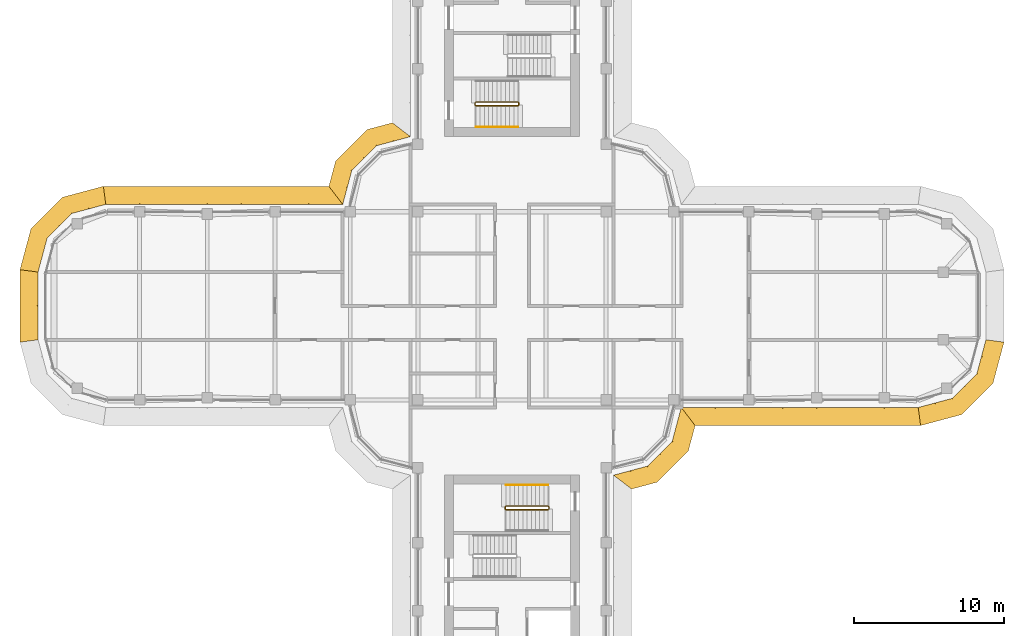
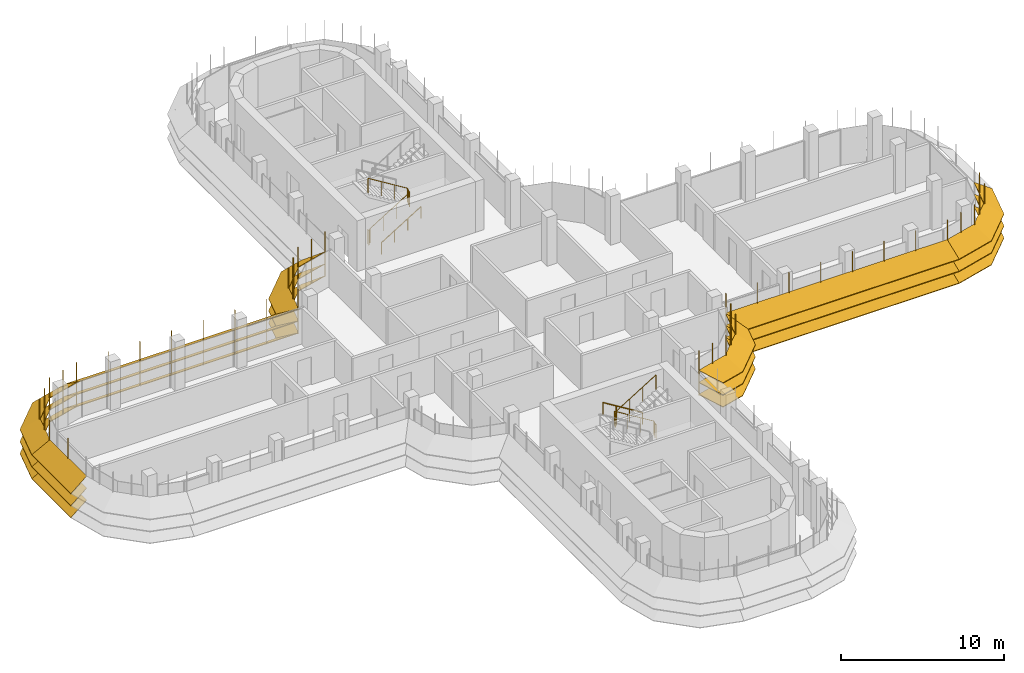
# One storey, part 18 of 19: 7 shading devices, 4 railings.
"""IFC4 building model written with IfcOpenShell, lengths in metres."""

import ifcopenshell
import ifcopenshell.guid

model = None  # the IFC model being written
_history = None  # IfcOwnerHistory: only IFC2X3 demands one
_inside = {}  # id of a spatial element -> (the spatial element, [elements in it])
_under = {}  # id of a project, library or spatial element -> (it, [spatial elements below it])
_declared = {}  # id of a project -> (the project, [libraries it declares])
_typed = {}  # id of a type object -> (the type object, [elements of that type])
_made_of = {}  # id of a material, layer set ... -> (it, [elements and type objects made of it])


def new_model(schema):
    """Start an empty IFC model of exactly this schema.

    Asked for "IFC4X3", IfcOpenShell would pick the latest addendum, in which some entities
    have other attributes; the version numbers below select the first issue.
    IFC2X3 requires an IfcOwnerHistory on every rooted entity: one is made here for all.
    """
    global model, _history
    if schema == "IFC4X3":
        model = ifcopenshell.file(schema_version=(4, 3, 0, 0))
    else:
        model = ifcopenshell.file(schema=schema)
    _inside.clear()
    _under.clear()
    _declared.clear()
    _typed.clear()
    _made_of.clear()
    _history = None
    if model.schema == "IFC2X3":
        org = make("IfcOrganization", Name="unknown")
        user = make(
            "IfcPersonAndOrganization",
            ThePerson=make("IfcPerson", FamilyName="unknown"),
            TheOrganization=org,
        )
        app = make(
            "IfcApplication",
            ApplicationDeveloper=org,
            Version="unknown",
            ApplicationFullName="unknown",
            ApplicationIdentifier="unknown",
        )
        _history = make(
            "IfcOwnerHistory",
            OwningUser=user,
            OwningApplication=app,
            ChangeAction="ADDED",
            CreationDate=0,
        )
    return model


def make(cls, **values):
    """One entity of the class cls with the attributes given. An attribute that is None is left unset."""
    return model.create_entity(
        cls, **{name: value for name, value in values.items() if value is not None}
    )


def rooted(cls, **values):
    """An entity with a GlobalId (a new one), such as an element, a storey or a relation."""
    return make(cls, GlobalId=ifcopenshell.guid.new(), OwnerHistory=_history, **values)


def si_unit(unit_type, name, prefix=None):
    """IfcSIUnit, for example si_unit("LENGTHUNIT", "METRE", prefix="MILLI")."""
    return make("IfcSIUnit", UnitType=unit_type, Prefix=prefix, Name=name)


def assignment(units):
    """IfcUnitAssignment: the units of a project."""
    return None if units is None else make("IfcUnitAssignment", Units=units)


def point(xyz):
    """IfcCartesianPoint."""
    return None if xyz is None else make("IfcCartesianPoint", Coordinates=xyz)


def direction(xyz):
    """IfcDirection."""
    return None if xyz is None else make("IfcDirection", DirectionRatios=xyz)


def frame(location, z_axis=None, x_axis=None):
    """IfcAxis2Placement3D, a coordinate frame: its origin and axes. An axis left out is left unset."""
    return make(
        "IfcAxis2Placement3D",
        Location=point(location),
        Axis=direction(z_axis),
        RefDirection=direction(x_axis),
    )


def frame_2d(location, x_axis=None):
    """IfcAxis2Placement2D, a coordinate frame in the plane: its origin and x axis."""
    return make(
        "IfcAxis2Placement2D", Location=point(location), RefDirection=direction(x_axis)
    )


def origin():
    """The frame at (0, 0, 0) with its axes left unset."""
    return frame((0.0, 0.0, 0.0))


def origin_2d():
    """The frame at (0, 0) in the plane with its x axis left unset."""
    return frame_2d((0.0, 0.0))


def place(relative_to, where):
    """IfcLocalPlacement: puts the frame where relative to a parent placement (None: the world)."""
    return make(
        "IfcLocalPlacement", PlacementRelTo=relative_to, RelativePlacement=where
    )


def context(
    kind, dimensions, precision=None, world=None, true_north=None, identifier=None
):
    """IfcGeometricRepresentationContext, for example the 3D "Model" context."""
    return make(
        "IfcGeometricRepresentationContext",
        ContextIdentifier=identifier,
        ContextType=kind,
        CoordinateSpaceDimension=dimensions,
        Precision=precision,
        WorldCoordinateSystem=world,
        TrueNorth=true_north,
    )


def subcontext(parent, identifier, kind, view, scale=None):
    """IfcGeometricRepresentationSubContext, for example "Body" below "Model"."""
    return make(
        "IfcGeometricRepresentationSubContext",
        ContextIdentifier=identifier,
        ContextType=kind,
        ParentContext=parent,
        TargetScale=scale,
        TargetView=view,
    )


def project(units=None, contexts=None):
    """IfcProject with its units and contexts."""
    return rooted(
        "IfcProject",
        Name="project",
        RepresentationContexts=contexts,
        UnitsInContext=assignment(units),
    )


def spatial(cls, under=None, at=None, **own):
    """A site, building, storey or space (cls), placed at a placement, below another one or the project."""
    s = rooted(cls, ObjectPlacement=at, **own)
    if under is not None:
        _under.setdefault(under.id(), (under, []))[1].append(s)
    return s


def polyline(points):
    """IfcPolyline through the points."""
    return make("IfcPolyline", Points=[point(p) for p in points])


def profile(cls, at=None, kind="AREA", **sizes):
    """A parametric profile (cls). Its sizes go by their IFC names, for example OverallWidth=200.0."""
    return make(cls, ProfileType=kind, Position=at, **sizes)


def circle(**sizes):
    """IfcCircleProfileDef."""
    return profile("IfcCircleProfileDef", **sizes)


def outline(outer, holes=None, kind="AREA"):
    """IfcArbitraryClosedProfileDef: a profile drawn as a closed curve; with holes, ...WithVoids."""
    if holes is None:
        return make("IfcArbitraryClosedProfileDef", ProfileType=kind, OuterCurve=outer)
    return make(
        "IfcArbitraryProfileDefWithVoids",
        ProfileType=kind,
        OuterCurve=outer,
        InnerCurves=holes,
    )


def extrude(swept, where, along, depth):
    """IfcExtrudedAreaSolid: the profile swept, set in the frame where, extruded along a direction by depth."""
    return make(
        "IfcExtrudedAreaSolid",
        SweptArea=swept,
        Position=where,
        ExtrudedDirection=direction(along),
        Depth=depth,
    )


def faces_of(points, faces, orient=None, outer=None):
    """IfcFace entities. A face is a list of loops; a loop is a list of indices into points, from 0.

    orient and outer hold one flag for each loop. By default every Orientation is true, the
    first loop of a face is its IfcFaceOuterBound and the others are IfcFaceBound.
    """
    made = []
    for i, loops in enumerate(faces):
        bounds = []
        for j, loop in enumerate(loops):
            is_outer = j == 0 if outer is None else outer[i][j]
            bounds.append(
                make(
                    "IfcFaceOuterBound" if is_outer else "IfcFaceBound",
                    Bound=make("IfcPolyLoop", Polygon=[points[k] for k in loop]),
                    Orientation=True if orient is None else orient[i][j],
                )
            )
        made.append(make("IfcFace", Bounds=bounds))
    return made


def faceted_brep(points, faces, orient=None, outer=None, voids=None):
    """IfcFacetedBrep: a solid bounded by flat faces; with voids (closed shells), ...WithVoids."""
    shared = [point(p) for p in points]
    hull = make("IfcClosedShell", CfsFaces=faces_of(shared, faces, orient, outer))
    if voids is None:
        return make("IfcFacetedBrep", Outer=hull)
    return make(
        "IfcFacetedBrepWithVoids",
        Outer=hull,
        Voids=[
            make(cls, CfsFaces=faces_of(shared, fs, o, b)) for cls, fs, o, b in voids
        ],
    )


def shape(context_of_items, identifier, shape_type, items):
    """IfcShapeRepresentation: the items that make up one representation, for example the "Body"."""
    return make(
        "IfcShapeRepresentation",
        ContextOfItems=context_of_items,
        RepresentationIdentifier=identifier,
        RepresentationType=shape_type,
        Items=items,
    )


def source(mapping_origin, context_of_items, identifier, shape_type, items):
    """IfcRepresentationMap: a shape defined once, which mapped items show again and again."""
    return make(
        "IfcRepresentationMap",
        MappingOrigin=mapping_origin,
        MappedRepresentation=shape(context_of_items, identifier, shape_type, items),
    )


def transform(
    local_origin,
    x_axis=None,
    y_axis=None,
    z_axis=None,
    scale=None,
    scale2=None,
    scale3=None,
    uniform=True,
):
    """IfcCartesianTransformationOperator3D, or its non-uniform kind. x_axis, y_axis, z_axis: its Axis1, 2, 3."""
    if uniform:
        return make(
            "IfcCartesianTransformationOperator3D",
            Axis1=direction(x_axis),
            Axis2=direction(y_axis),
            LocalOrigin=point(local_origin),
            Scale=scale,
            Axis3=direction(z_axis),
        )
    return make(
        "IfcCartesianTransformationOperator3DnonUniform",
        Axis1=direction(x_axis),
        Axis2=direction(y_axis),
        LocalOrigin=point(local_origin),
        Scale=scale,
        Axis3=direction(z_axis),
        Scale2=scale2,
        Scale3=scale3,
    )


def mapped(mapping_source, mapping_target):
    """IfcMappedItem: shows the shape of a source again, moved by a transform."""
    return make(
        "IfcMappedItem", MappingSource=mapping_source, MappingTarget=mapping_target
    )


def material(Name=None, Category=None):
    """IfcMaterial."""
    return make("IfcMaterial", Name=Name, Category=Category)


def made_of(thing, what):
    """Note that an element or type object is made of a material, layer set ...; save() writes the relation."""
    if what is not None:
        _made_of.setdefault(what.id(), (what, []))[1].append(thing)
    return thing


def type_object(cls, material=None, **own):
    """A type object (cls), such as IfcWallType, which elements share."""
    return made_of(rooted(cls, **own), material)


def element(
    cls,
    number,
    at=None,
    inside=None,
    cuts=None,
    type_object=None,
    material=None,
    context=None,
    identifier="Body",
    shape_type=None,
    held_by="IfcProductDefinitionShape",
    body=None,
    shapes=None,
    **own,
):
    """One element of the class cls, such as IfcWall. Its Tag is "e" and its number.

    at: its placement. inside: the storey or other place that contains it. cuts: it is an
    opening in that element (IfcRelVoidsElement). A single representation is given by context,
    identifier, shape_type and body (its items); several are given by shapes. held_by: the class
    of the entity that holds the representations. save() writes the other relations.
    """
    e = rooted(cls, Tag="e%d" % number, ObjectPlacement=at, **own)
    if body is not None:
        shapes = [shape(context, identifier, shape_type, body)]
    if shapes is not None:
        e.Representation = make(held_by, Representations=shapes)
    if inside is not None:
        _inside.setdefault(inside.id(), (inside, []))[1].append(e)
    if cuts is not None:
        rooted(
            "IfcRelVoidsElement", RelatingBuildingElement=cuts, RelatedOpeningElement=e
        )
    if type_object is not None:
        _typed.setdefault(type_object.id(), (type_object, []))[1].append(e)
    return made_of(e, material)


def aggregate(whole, parts):
    """IfcRelAggregates: a whole, such as a stair, and the parts it consists of."""
    return rooted("IfcRelAggregates", RelatingObject=whole, RelatedObjects=parts)


def save(model, path):
    """Write the relations noted so far, then the file.

    IfcRelAggregates (storeys below a building ...), IfcRelContainedInSpatialStructure (elements
    in a storey), IfcRelDefinesByType, IfcRelAssociatesMaterial and IfcRelDeclares: one each for
    every whole, place, type object, material and project.
    """
    for whole, parts in _under.values():
        aggregate(whole, parts)
    for where, things in _inside.values():
        rooted(
            "IfcRelContainedInSpatialStructure",
            RelatedElements=things,
            RelatingStructure=where,
        )
    for kind, things in _typed.values():
        rooted("IfcRelDefinesByType", RelatedObjects=things, RelatingType=kind)
    for what, things in _made_of.values():
        rooted("IfcRelAssociatesMaterial", RelatedObjects=things, RelatingMaterial=what)
    for by, libraries in _declared.values():
        rooted("IfcRelDeclares", RelatingContext=by, RelatedDefinitions=libraries)
    model.write(path)


model = new_model("IFC4")

# Units and contexts
model_context = context("Model", 3, precision=1e-05, world=origin(), true_north=direction((0.0, 1.0)))
body_context = subcontext(model_context, "Body", "Model", "MODEL_VIEW")
ifc_project = project(units=[si_unit("LENGTHUNIT", "METRE"), si_unit("AREAUNIT", "SQUARE_METRE"), si_unit("VOLUMEUNIT", "CUBIC_METRE"), si_unit("PLANEANGLEUNIT", "RADIAN"), si_unit("MASSUNIT", "GRAM", prefix="KILO")], contexts=[model_context])

# Site, building, storey
site_placement = place(None, origin())
site = spatial("IfcSite", under=ifc_project, at=site_placement, CompositionType="ELEMENT")
building_placement = place(site_placement, origin())
building = spatial("IfcBuilding", under=site, at=building_placement, Name="Zarbagh Exchange Tower", CompositionType="ELEMENT")
storey_placement = place(building_placement, frame((0.0, 0.0, 199.199951171875)))
storey = spatial("IfcBuildingStorey", under=building, at=storey_placement, Name="L48", CompositionType="ELEMENT", Elevation=199.199951171875)

# Railings
ifc_material_1 = material(Name="Stainless steel", Category="steel")
railing_type_1 = type_object("IfcRailingType", Name="Stair guard 1100 mm", PredefinedType="GUARDRAIL", material=ifc_material_1)
railing_1_placement = place(storey_placement, frame((-2.449951171875, 13.5, 0.0)))
element("IfcRailing", 1, at=railing_1_placement, inside=storey, type_object=railing_type_1, Name="ST2 stair guard 1", PredefinedType="GUARDRAIL", context=body_context, shape_type="SweptSolid", body=[
    extrude(circle(Radius=0.02392578125, at=origin_2d()), frame((0.0, 0.0, 1.076171875), z_axis=(0.0, -1.0, 0.0), x_axis=(1.0, 0.0, 0.0)), (0.0, 0.0, 1.0), 0.14990234375),
    extrude(circle(Radius=0.02392578125, at=origin_2d()), frame((0.0, -0.14990234375, 1.076171875), z_axis=(0.267953482034, -0.267953482034, 0.925419830635), x_axis=(0.707106781187, 0.707106781187, 0.0)), (0.0, 0.0, 1.0), 0.186767578125),
    extrude(circle(Radius=0.02392578125, at=origin_2d()), frame((0.050048828125, -0.199951171875, 1.2490234375), z_axis=(0.851069175582, 0.0, 0.525053576669), x_axis=(0.0, 1.0, 0.0)), (0.0, 0.0, 1.0), 3.289794921875),
    extrude(circle(Radius=0.02392578125, at=origin_2d()), frame((2.849853515625, -0.199951171875, 2.97607421875), z_axis=(0.707106781187, 0.707106781187, 0.0), x_axis=(-0.707106781187, 0.707106781187, 0.0)), (0.0, 0.0, 1.0), 0.07080078125),
    extrude(circle(Radius=0.02392578125, at=origin_2d()), frame((2.89990234375, -0.14990234375, 2.97607421875), z_axis=(0.0, 1.0, 0.0), x_axis=(-1.0, 0.0, 0.0)), (0.0, 0.0, 1.0), 0.14990234375),
    extrude(circle(Radius=0.02392578125, at=origin_2d()), frame((2.89990234375, 0.0, 2.97607421875), z_axis=(-0.268277960024, 0.268277960024, 0.925231793839), x_axis=(-0.707106781187, -0.707106781187, 0.0)), (0.0, 0.0, 1.0), 0.1865234375),
    extrude(circle(Radius=0.02392578125, at=origin_2d()), frame((2.849853515625, 0.050048828125, 3.14892578125), z_axis=(-0.851069175582, 0.0, 0.525053576669), x_axis=(0.0, -1.0, 0.0)), (0.0, 0.0, 1.0), 3.289794921875),
    extrude(circle(Radius=0.02099609375, at=origin_2d()), origin(), (0.0, 0.0, 1.0), 1.052001953125),
    extrude(circle(Radius=0.02099609375, at=origin_2d()), frame((0.0, -0.14990234375, 0.0)), (0.0, 0.0, 1.0), 1.052001953125),
    extrude(circle(Radius=0.02099609375, at=origin_2d()), frame((0.050048828125, -0.199951171875, 0.1728515625)), (0.0, 0.0, 1.0), 1.052001953125),
    extrude(circle(Radius=0.02099609375, at=origin_2d()), frame((0.9833984375, -0.199951171875, 0.74853515625)), (0.0, 0.0, 1.0), 1.052001953125),
    extrude(circle(Radius=0.02099609375, at=origin_2d()), frame((1.91650390625, -0.199951171875, 1.324462890625)), (0.0, 0.0, 1.0), 1.052001953125),
    extrude(circle(Radius=0.02099609375, at=origin_2d()), frame((2.849853515625, -0.199951171875, 1.900146484375)), (0.0, 0.0, 1.0), 1.052001953125),
    extrude(circle(Radius=0.02099609375, at=origin_2d()), frame((2.89990234375, -0.14990234375, 1.900146484375)), (0.0, 0.0, 1.0), 1.052001953125),
    extrude(circle(Radius=0.02099609375, at=origin_2d()), frame((2.89990234375, 0.0, 1.900146484375)), (0.0, 0.0, 1.0), 1.052001953125),
    extrude(circle(Radius=0.02099609375, at=origin_2d()), frame((2.849853515625, 0.050048828125, 2.07275390625)), (0.0, 0.0, 1.0), 1.052001953125),
    extrude(circle(Radius=0.02099609375, at=origin_2d()), frame((1.91650390625, 0.050048828125, 2.6484375)), (0.0, 0.0, 1.0), 1.052001953125),
    extrude(circle(Radius=0.02099609375, at=origin_2d()), frame((0.9833984375, 0.050048828125, 3.224365234375)), (0.0, 0.0, 1.0), 1.052001953125),
    extrude(circle(Radius=0.02099609375, at=origin_2d()), frame((0.050048828125, 0.050048828125, 3.800048828125)), (0.0, 0.0, 1.0), 1.052001953125),
])
railing_2_placement = place(storey_placement, frame((2.449951171875, -13.5, 0.0)))
element("IfcRailing", 2, at=railing_2_placement, inside=storey, type_object=railing_type_1, Name="ST4 stair guard 1", PredefinedType="GUARDRAIL", context=body_context, shape_type="SweptSolid", body=[
    extrude(circle(Radius=0.02392578125, at=origin_2d()), frame((0.0, 0.0, 1.076171875), z_axis=(0.0, 1.0, 0.0), x_axis=(-1.0, 0.0, 0.0)), (0.0, 0.0, 1.0), 0.14990234375),
    extrude(circle(Radius=0.02392578125, at=origin_2d()), frame((0.0, 0.14990234375, 1.076171875), z_axis=(-0.267953482034, 0.267953482034, 0.925419830635), x_axis=(-0.707106781187, -0.707106781187, 0.0)), (0.0, 0.0, 1.0), 0.186767578125),
    extrude(circle(Radius=0.02392578125, at=origin_2d()), frame((-0.050048828125, 0.199951171875, 1.2490234375), z_axis=(-0.851069175582, 0.0, 0.525053576669), x_axis=(0.0, -1.0, 0.0)), (0.0, 0.0, 1.0), 3.289794921875),
    extrude(circle(Radius=0.02392578125, at=origin_2d()), frame((-2.849853515625, 0.199951171875, 2.97607421875), z_axis=(-0.707106781187, -0.707106781187, 0.0), x_axis=(0.707106781187, -0.707106781187, 0.0)), (0.0, 0.0, 1.0), 0.07080078125),
    extrude(circle(Radius=0.02392578125, at=origin_2d()), frame((-2.89990234375, 0.14990234375, 2.97607421875), z_axis=(0.0, -1.0, 0.0), x_axis=(1.0, 0.0, 0.0)), (0.0, 0.0, 1.0), 0.14990234375),
    extrude(circle(Radius=0.02392578125, at=origin_2d()), frame((-2.89990234375, 0.0, 2.97607421875), z_axis=(0.268277960024, -0.268277960024, 0.925231793839), x_axis=(0.707106781187, 0.707106781187, 0.0)), (0.0, 0.0, 1.0), 0.1865234375),
    extrude(circle(Radius=0.02392578125, at=origin_2d()), frame((-2.849853515625, -0.050048828125, 3.14892578125), z_axis=(0.851069175582, 0.0, 0.525053576669), x_axis=(0.0, 1.0, 0.0)), (0.0, 0.0, 1.0), 3.289794921875),
    extrude(circle(Radius=0.02099609375, at=origin_2d()), origin(), (0.0, 0.0, 1.0), 1.052001953125),
    extrude(circle(Radius=0.02099609375, at=origin_2d()), frame((0.0, 0.14990234375, 0.0)), (0.0, 0.0, 1.0), 1.052001953125),
    extrude(circle(Radius=0.02099609375, at=origin_2d()), frame((-0.050048828125, 0.199951171875, 0.1728515625)), (0.0, 0.0, 1.0), 1.052001953125),
    extrude(circle(Radius=0.02099609375, at=origin_2d()), frame((-0.9833984375, 0.199951171875, 0.74853515625)), (0.0, 0.0, 1.0), 1.052001953125),
    extrude(circle(Radius=0.02099609375, at=origin_2d()), frame((-1.91650390625, 0.199951171875, 1.324462890625)), (0.0, 0.0, 1.0), 1.052001953125),
    extrude(circle(Radius=0.02099609375, at=origin_2d()), frame((-2.849853515625, 0.199951171875, 1.900146484375)), (0.0, 0.0, 1.0), 1.052001953125),
    extrude(circle(Radius=0.02099609375, at=origin_2d()), frame((-2.89990234375, 0.14990234375, 1.900146484375)), (0.0, 0.0, 1.0), 1.052001953125),
    extrude(circle(Radius=0.02099609375, at=origin_2d()), frame((-2.89990234375, 0.0, 1.900146484375)), (0.0, 0.0, 1.0), 1.052001953125),
    extrude(circle(Radius=0.02099609375, at=origin_2d()), frame((-2.849853515625, -0.050048828125, 2.07275390625)), (0.0, 0.0, 1.0), 1.052001953125),
    extrude(circle(Radius=0.02099609375, at=origin_2d()), frame((-1.91650390625, -0.050048828125, 2.6484375)), (0.0, 0.0, 1.0), 1.052001953125),
    extrude(circle(Radius=0.02099609375, at=origin_2d()), frame((-0.9833984375, -0.050048828125, 3.224365234375)), (0.0, 0.0, 1.0), 1.052001953125),
    extrude(circle(Radius=0.02099609375, at=origin_2d()), frame((-0.050048828125, -0.050048828125, 3.800048828125)), (0.0, 0.0, 1.0), 1.052001953125),
])
railing_type_2 = type_object("IfcRailingType", Name="Stair handrail 900 mm", PredefinedType="HANDRAIL", material=ifc_material_1)
railing_3_placement = place(storey_placement, frame((-2.39990234375, 11.89990234375, 0.1728515625)))
element("IfcRailing", 3, at=railing_3_placement, inside=storey, type_object=railing_type_2, Name="ST2 stair handrail 1", PredefinedType="HANDRAIL", context=body_context, shape_type="SweptSolid", body=[
    extrude(circle(Radius=0.02392578125, at=origin_2d()), frame((0.0, 0.0, 0.8759765625), z_axis=(0.851069175582, 0.0, 0.525053576669), x_axis=(0.0, 1.0, 0.0)), (0.0, 0.0, 1.0), 3.289794921875),
    extrude(circle(Radius=0.02099609375, at=origin_2d()), origin(), (0.0, 0.0, 1.0), 0.851806640625),
    extrude(circle(Radius=0.02099609375, at=origin_2d()), frame((0.933349609375, 0.0, 0.57568359375)), (0.0, 0.0, 1.0), 0.851806640625),
    extrude(circle(Radius=0.02099609375, at=origin_2d()), frame((1.866455078125, 0.0, 1.151611328125)), (0.0, 0.0, 1.0), 0.851806640625),
    extrude(circle(Radius=0.02099609375, at=origin_2d()), frame((2.7998046875, 0.0, 1.727294921875)), (0.0, 0.0, 1.0), 0.851806640625),
])
railing_4_placement = place(storey_placement, frame((2.39990234375, -11.89990234375, 0.1728515625)))
element("IfcRailing", 4, at=railing_4_placement, inside=storey, type_object=railing_type_2, Name="ST4 stair handrail 1", PredefinedType="HANDRAIL", context=body_context, shape_type="SweptSolid", body=[
    extrude(circle(Radius=0.02392578125, at=origin_2d()), frame((0.0, 0.0, 0.8759765625), z_axis=(-0.851069175582, 0.0, 0.525053576669), x_axis=(0.0, -1.0, 0.0)), (0.0, 0.0, 1.0), 3.289794921875),
    extrude(circle(Radius=0.02099609375, at=origin_2d()), origin(), (0.0, 0.0, 1.0), 0.851806640625),
    extrude(circle(Radius=0.02099609375, at=origin_2d()), frame((-0.933349609375, 0.0, 0.57568359375)), (0.0, 0.0, 1.0), 0.851806640625),
    extrude(circle(Radius=0.02099609375, at=origin_2d()), frame((-1.866455078125, 0.0, 1.151611328125)), (0.0, 0.0, 1.0), 0.851806640625),
    extrude(circle(Radius=0.02099609375, at=origin_2d()), frame((-2.7998046875, 0.0, 1.727294921875)), (0.0, 0.0, 1.0), 0.851806640625),
])

# Shading devices
ifc_material_2 = material(Name="Anodised aluminium blades and brackets", Category="aluminium")
shading_device_type = type_object("IfcShadingDeviceType", Name="SUNSHADE louvre band, 33.75 degree blades", PredefinedType="JALOUSIE", material=ifc_material_2)
shared_shape_1 = source(origin(), body_context, "Body", "Brep", [
    faceted_brep([(0.0, 0.0, 0.0), (0.0, 0.0, -0.048095703125), (-0.157958984375, -1.199951171875, -0.849853515625), (-0.157958984375, -1.199951171875, -0.8017578125), (2.65087890625, -1.199951171875, -0.8017578125), (2.65087890625, -1.199951171875, -0.849853515625), (2.329345703125, 0.0, -0.048095703125), (2.329345703125, 0.0, 0.0)], [[[0, 1, 2, 3]], [[4, 5, 6, 7]], [[0, 7, 6, 1]], [[1, 6, 5, 2]], [[2, 5, 4, 3]], [[3, 4, 7, 0]]]),
])
shared_shape_2 = source(origin(), body_context, "Body", "Brep", [
    faceted_brep([(0.0, 0.0, 0.0), (0.0, 0.0, -0.048095703125), (-0.321533203125, -1.199951171875, -0.849853515625), (-0.321533203125, -1.199951171875, -0.8017578125), (2.65087890625, -1.199951171875, -0.8017578125), (2.65087890625, -1.199951171875, -0.849853515625), (2.329345703125, 0.0, -0.048095703125), (2.329345703125, 0.0, 0.0)], [[[0, 1, 2, 3]], [[4, 5, 6, 7]], [[0, 7, 6, 1]], [[1, 6, 5, 2]], [[2, 5, 4, 3]], [[3, 4, 7, 0]]]),
])
shared_shape_3 = source(origin(), body_context, "Body", "Brep", [
    faceted_brep([(0.0, 0.0, 0.0), (0.0, 0.0, -0.048095703125), (-0.321533203125, -1.199951171875, -0.849853515625), (-0.321533203125, -1.199951171875, -0.8017578125), (2.4873046875, -1.199951171875, -0.8017578125), (2.4873046875, -1.199951171875, -0.849853515625), (2.329345703125, 0.0, -0.048095703125), (2.329345703125, 0.0, 0.0)], [[[0, 1, 2, 3]], [[4, 5, 6, 7]], [[0, 7, 6, 1]], [[1, 6, 5, 2]], [[2, 5, 4, 3]], [[3, 4, 7, 0]]]),
])
shared_shape_4 = source(origin(), body_context, "Body", "SweptSolid", [
    extrude(outline(polyline([(0.0, -0.012451171875), (0.06005859375, -0.012451171875), (0.06005859375, 0.012451171875), (0.0, 0.012451171875), (0.0, -0.012451171875)])), origin(), (0.0, 0.0, 1.0), 3.358154296875),
])
placement = place(storey_placement, origin())
element("IfcShadingDevice", 5, at=placement, inside=storey, type_object=shading_device_type, Name="SS31 sunshade band", PredefinedType="JALOUSIE", context=body_context, shape_type="MappedRepresentation", body=[
    mapped(shared_shape_1, transform((27.0, -6.75, 2.300048828125), x_axis=(0.965924289636, 0.258824779902, 0.0), y_axis=(-0.258824779902, 0.965924289636, 0.0), z_axis=(0.0, 0.0, 1.0))),
    mapped(shared_shape_1, transform((27.0, -6.75, 1.400146484375), x_axis=(0.965924289636, 0.258824779902, 0.0), y_axis=(-0.258824779902, 0.965924289636, 0.0), z_axis=(0.0, 0.0, 1.0))),
    mapped(shared_shape_1, transform((27.0, -6.75, 0.5), x_axis=(0.965924289636, 0.258824779902, 0.0), y_axis=(-0.258824779902, 0.965924289636, 0.0), z_axis=(0.0, 0.0, 1.0))),
    mapped(shared_shape_2, transform((29.25, -6.147216796875, 2.300048828125), x_axis=(0.707106781187, 0.707106781187, 0.0), y_axis=(-0.707106781187, 0.707106781187, 0.0), z_axis=(0.0, 0.0, 1.0))),
    mapped(shared_shape_2, transform((29.25, -6.147216796875, 1.400146484375), x_axis=(0.707106781187, 0.707106781187, 0.0), y_axis=(-0.707106781187, 0.707106781187, 0.0), z_axis=(0.0, 0.0, 1.0))),
    mapped(shared_shape_2, transform((29.25, -6.147216796875, 0.5), x_axis=(0.707106781187, 0.707106781187, 0.0), y_axis=(-0.707106781187, 0.707106781187, 0.0), z_axis=(0.0, 0.0, 1.0))),
    mapped(shared_shape_3, transform((30.897216796875, -4.5, 2.300048828125), x_axis=(0.258824779902, 0.965924289636, 0.0), y_axis=(-0.965924289636, 0.258824779902, 0.0), z_axis=(0.0, 0.0, 1.0))),
    mapped(shared_shape_3, transform((30.897216796875, -4.5, 1.400146484375), x_axis=(0.258824779902, 0.965924289636, 0.0), y_axis=(-0.965924289636, 0.258824779902, 0.0), z_axis=(0.0, 0.0, 1.0))),
    mapped(shared_shape_3, transform((30.897216796875, -4.5, 0.5), x_axis=(0.258824779902, 0.965924289636, 0.0), y_axis=(-0.965924289636, 0.258824779902, 0.0), z_axis=(0.0, 0.0, 1.0))),
    mapped(shared_shape_4, transform((27.0, -6.75, 0.421875), x_axis=(0.130529263012, -0.991444457092, 0.0), y_axis=(0.991444457092, 0.130529263012, 0.0), z_axis=(0.0, 0.0, 1.0))),
    mapped(shared_shape_4, transform((28.125, -6.448486328125, 0.421875), x_axis=(0.258825058029, -0.96592421511, 0.0), y_axis=(0.96592421511, 0.258825058029, 0.0), z_axis=(0.0, 0.0, 1.0))),
    mapped(shared_shape_4, transform((29.25, -6.147216796875, 0.421875), x_axis=(0.50000275701, -0.866023812018, 0.0), y_axis=(0.866023812018, 0.50000275701, 0.0), z_axis=(0.0, 0.0, 1.0))),
    mapped(shared_shape_4, transform((30.073486328125, -5.323486328125, 0.421875), x_axis=(0.707106781187, -0.707106781187, 0.0), y_axis=(0.707106781187, 0.707106781187, 0.0), z_axis=(0.0, 0.0, 1.0))),
    mapped(shared_shape_4, transform((30.897216796875, -4.5, 0.421875), x_axis=(0.866023812018, -0.50000275701, 0.0), y_axis=(0.50000275701, 0.866023812018, 0.0), z_axis=(0.0, 0.0, 1.0))),
    mapped(shared_shape_4, transform((31.198486328125, -3.375, 0.421875), x_axis=(0.96592421511, -0.258825058029, 0.0), y_axis=(0.258825058029, 0.96592421511, 0.0), z_axis=(0.0, 0.0, 1.0))),
])
element("IfcShadingDevice", 6, at=placement, inside=storey, type_object=shading_device_type, Name="SS41 sunshade band", PredefinedType="JALOUSIE", context=body_context, shape_type="MappedRepresentation", body=[
    mapped(shared_shape_1, transform((-27.0, 6.75, 2.300048828125), x_axis=(-0.965924289636, -0.258824779902, 0.0), y_axis=(0.258824779902, -0.965924289636, 0.0), z_axis=(0.0, 0.0, 1.0))),
    mapped(shared_shape_1, transform((-27.0, 6.75, 1.400146484375), x_axis=(-0.965924289636, -0.258824779902, 0.0), y_axis=(0.258824779902, -0.965924289636, 0.0), z_axis=(0.0, 0.0, 1.0))),
    mapped(shared_shape_1, transform((-27.0, 6.75, 0.5), x_axis=(-0.965924289636, -0.258824779902, 0.0), y_axis=(0.258824779902, -0.965924289636, 0.0), z_axis=(0.0, 0.0, 1.0))),
    mapped(shared_shape_2, transform((-29.25, 6.147216796875, 2.300048828125), x_axis=(-0.707106781187, -0.707106781187, 0.0), y_axis=(0.707106781187, -0.707106781187, 0.0), z_axis=(0.0, 0.0, 1.0))),
    mapped(shared_shape_2, transform((-29.25, 6.147216796875, 1.400146484375), x_axis=(-0.707106781187, -0.707106781187, 0.0), y_axis=(0.707106781187, -0.707106781187, 0.0), z_axis=(0.0, 0.0, 1.0))),
    mapped(shared_shape_2, transform((-29.25, 6.147216796875, 0.5), x_axis=(-0.707106781187, -0.707106781187, 0.0), y_axis=(0.707106781187, -0.707106781187, 0.0), z_axis=(0.0, 0.0, 1.0))),
    mapped(shared_shape_3, transform((-30.897216796875, 4.5, 2.300048828125), x_axis=(-0.258824779902, -0.965924289636, 0.0), y_axis=(0.965924289636, -0.258824779902, 0.0), z_axis=(0.0, 0.0, 1.0))),
    mapped(shared_shape_3, transform((-30.897216796875, 4.5, 1.400146484375), x_axis=(-0.258824779902, -0.965924289636, 0.0), y_axis=(0.965924289636, -0.258824779902, 0.0), z_axis=(0.0, 0.0, 1.0))),
    mapped(shared_shape_3, transform((-30.897216796875, 4.5, 0.5), x_axis=(-0.258824779902, -0.965924289636, 0.0), y_axis=(0.965924289636, -0.258824779902, 0.0), z_axis=(0.0, 0.0, 1.0))),
    mapped(shared_shape_4, transform((-27.0, 6.75, 0.421875), x_axis=(-0.130529263012, 0.991444457092, 0.0), y_axis=(-0.991444457092, -0.130529263012, 0.0), z_axis=(0.0, 0.0, 1.0))),
    mapped(shared_shape_4, transform((-28.125, 6.448486328125, 0.421875), x_axis=(-0.258825058029, 0.96592421511, 0.0), y_axis=(-0.96592421511, -0.258825058029, 0.0), z_axis=(0.0, 0.0, 1.0))),
    mapped(shared_shape_4, transform((-29.25, 6.147216796875, 0.421875), x_axis=(-0.50000275701, 0.866023812018, 0.0), y_axis=(-0.866023812018, -0.50000275701, 0.0), z_axis=(0.0, 0.0, 1.0))),
    mapped(shared_shape_4, transform((-30.073486328125, 5.323486328125, 0.421875), x_axis=(-0.707106781187, 0.707106781187, 0.0), y_axis=(-0.707106781187, -0.707106781187, 0.0), z_axis=(0.0, 0.0, 1.0))),
    mapped(shared_shape_4, transform((-30.897216796875, 4.5, 0.421875), x_axis=(-0.866023812018, 0.50000275701, 0.0), y_axis=(-0.50000275701, -0.866023812018, 0.0), z_axis=(0.0, 0.0, 1.0))),
    mapped(shared_shape_4, transform((-31.198486328125, 3.375, 0.421875), x_axis=(-0.96592421511, 0.258825058029, 0.0), y_axis=(-0.258825058029, -0.96592421511, 0.0), z_axis=(0.0, 0.0, 1.0))),
])
shared_shape_5 = source(origin(), body_context, "Body", "Brep", [
    faceted_brep([(0.0, 0.0, 0.0), (0.0, 0.0, -0.048095703125), (0.9208984375, -1.199951171875, -0.849853515625), (0.9208984375, -1.199951171875, -0.8017578125), (2.65087890625, -1.199951171875, -0.8017578125), (2.65087890625, -1.199951171875, -0.849853515625), (2.329345703125, 0.0, -0.048095703125), (2.329345703125, 0.0, 0.0)], [[[0, 1, 2, 3]], [[4, 5, 6, 7]], [[0, 7, 6, 1]], [[1, 6, 5, 2]], [[2, 5, 4, 3]], [[3, 4, 7, 0]]]),
])
shared_shape_6 = source(origin(), body_context, "Body", "Brep", [
    faceted_brep([(0.0, 0.0, 0.0), (0.0, 0.0, -0.048095703125), (-0.321533203125, -1.199951171875, -0.849853515625), (-0.321533203125, -1.199951171875, -0.8017578125), (1.40869140625, -1.199951171875, -0.8017578125), (1.40869140625, -1.199951171875, -0.849853515625), (2.329345703125, 0.0, -0.048095703125), (2.329345703125, 0.0, 0.0)], [[[0, 1, 2, 3]], [[4, 5, 6, 7]], [[0, 7, 6, 1]], [[1, 6, 5, 2]], [[2, 5, 4, 3]], [[3, 4, 7, 0]]]),
])
element("IfcShadingDevice", 7, at=placement, inside=storey, type_object=shading_device_type, Name="SS03 sunshade band", PredefinedType="JALOUSIE", context=body_context, shape_type="MappedRepresentation", body=[
    mapped(shared_shape_5, transform((6.75, -11.25, 2.300048828125), x_axis=(0.965924289636, 0.258824779902, 0.0), y_axis=(-0.258824779902, 0.965924289636, 0.0), z_axis=(0.0, 0.0, 1.0))),
    mapped(shared_shape_5, transform((6.75, -11.25, 1.400146484375), x_axis=(0.965924289636, 0.258824779902, 0.0), y_axis=(-0.258824779902, 0.965924289636, 0.0), z_axis=(0.0, 0.0, 1.0))),
    mapped(shared_shape_5, transform((6.75, -11.25, 0.5), x_axis=(0.965924289636, 0.258824779902, 0.0), y_axis=(-0.258824779902, 0.965924289636, 0.0), z_axis=(0.0, 0.0, 1.0))),
    mapped(shared_shape_2, transform((9.0, -10.647216796875, 2.300048828125), x_axis=(0.707106781187, 0.707106781187, 0.0), y_axis=(-0.707106781187, 0.707106781187, 0.0), z_axis=(0.0, 0.0, 1.0))),
    mapped(shared_shape_2, transform((9.0, -10.647216796875, 1.400146484375), x_axis=(0.707106781187, 0.707106781187, 0.0), y_axis=(-0.707106781187, 0.707106781187, 0.0), z_axis=(0.0, 0.0, 1.0))),
    mapped(shared_shape_2, transform((9.0, -10.647216796875, 0.5), x_axis=(0.707106781187, 0.707106781187, 0.0), y_axis=(-0.707106781187, 0.707106781187, 0.0), z_axis=(0.0, 0.0, 1.0))),
    mapped(shared_shape_6, transform((10.647216796875, -9.0, 2.300048828125), x_axis=(0.258824779902, 0.965924289636, 0.0), y_axis=(-0.965924289636, 0.258824779902, 0.0), z_axis=(0.0, 0.0, 1.0))),
    mapped(shared_shape_6, transform((10.647216796875, -9.0, 1.400146484375), x_axis=(0.258824779902, 0.965924289636, 0.0), y_axis=(-0.965924289636, 0.258824779902, 0.0), z_axis=(0.0, 0.0, 1.0))),
    mapped(shared_shape_6, transform((10.647216796875, -9.0, 0.5), x_axis=(0.258824779902, 0.965924289636, 0.0), y_axis=(-0.965924289636, 0.258824779902, 0.0), z_axis=(0.0, 0.0, 1.0))),
    mapped(shared_shape_4, transform((6.75, -11.25, 0.421875), x_axis=(0.793355287, -0.608758892, 0.0), y_axis=(0.608758892, 0.793355287, 0.0), z_axis=(0.0, 0.0, 1.0))),
    mapped(shared_shape_4, transform((7.875, -10.948486328125, 0.421875), x_axis=(0.258825058029, -0.96592421511, 0.0), y_axis=(0.96592421511, 0.258825058029, 0.0), z_axis=(0.0, 0.0, 1.0))),
    mapped(shared_shape_4, transform((9.0, -10.647216796875, 0.421875), x_axis=(0.50000275701, -0.866023812018, 0.0), y_axis=(0.866023812018, 0.50000275701, 0.0), z_axis=(0.0, 0.0, 1.0))),
    mapped(shared_shape_4, transform((9.823486328125, -9.823486328125, 0.421875), x_axis=(0.707106781187, -0.707106781187, 0.0), y_axis=(0.707106781187, 0.707106781187, 0.0), z_axis=(0.0, 0.0, 1.0))),
    mapped(shared_shape_4, transform((10.647216796875, -9.0, 0.421875), x_axis=(0.866023812018, -0.50000275701, 0.0), y_axis=(0.50000275701, 0.866023812018, 0.0), z_axis=(0.0, 0.0, 1.0))),
    mapped(shared_shape_4, transform((10.948486328125, -7.875, 0.421875), x_axis=(0.96592421511, -0.258825058029, 0.0), y_axis=(0.258825058029, 0.96592421511, 0.0), z_axis=(0.0, 0.0, 1.0))),
])
element("IfcShadingDevice", 8, at=placement, inside=storey, type_object=shading_device_type, Name="SS15 sunshade band", PredefinedType="JALOUSIE", context=body_context, shape_type="MappedRepresentation", body=[
    mapped(shared_shape_5, transform((-6.75, 11.25, 2.300048828125), x_axis=(-0.965924289636, -0.258824779902, 0.0), y_axis=(0.258824779902, -0.965924289636, 0.0), z_axis=(0.0, 0.0, 1.0))),
    mapped(shared_shape_5, transform((-6.75, 11.25, 1.400146484375), x_axis=(-0.965924289636, -0.258824779902, 0.0), y_axis=(0.258824779902, -0.965924289636, 0.0), z_axis=(0.0, 0.0, 1.0))),
    mapped(shared_shape_5, transform((-6.75, 11.25, 0.5), x_axis=(-0.965924289636, -0.258824779902, 0.0), y_axis=(0.258824779902, -0.965924289636, 0.0), z_axis=(0.0, 0.0, 1.0))),
    mapped(shared_shape_2, transform((-9.0, 10.647216796875, 2.300048828125), x_axis=(-0.707106781187, -0.707106781187, 0.0), y_axis=(0.707106781187, -0.707106781187, 0.0), z_axis=(0.0, 0.0, 1.0))),
    mapped(shared_shape_2, transform((-9.0, 10.647216796875, 1.400146484375), x_axis=(-0.707106781187, -0.707106781187, 0.0), y_axis=(0.707106781187, -0.707106781187, 0.0), z_axis=(0.0, 0.0, 1.0))),
    mapped(shared_shape_2, transform((-9.0, 10.647216796875, 0.5), x_axis=(-0.707106781187, -0.707106781187, 0.0), y_axis=(0.707106781187, -0.707106781187, 0.0), z_axis=(0.0, 0.0, 1.0))),
    mapped(shared_shape_6, transform((-10.647216796875, 9.0, 2.300048828125), x_axis=(-0.258824779902, -0.965924289636, 0.0), y_axis=(0.965924289636, -0.258824779902, 0.0), z_axis=(0.0, 0.0, 1.0))),
    mapped(shared_shape_6, transform((-10.647216796875, 9.0, 1.400146484375), x_axis=(-0.258824779902, -0.965924289636, 0.0), y_axis=(0.965924289636, -0.258824779902, 0.0), z_axis=(0.0, 0.0, 1.0))),
    mapped(shared_shape_6, transform((-10.647216796875, 9.0, 0.5), x_axis=(-0.258824779902, -0.965924289636, 0.0), y_axis=(0.965924289636, -0.258824779902, 0.0), z_axis=(0.0, 0.0, 1.0))),
    mapped(shared_shape_4, transform((-6.75, 11.25, 0.421875), x_axis=(-0.793355287, 0.608758892, 0.0), y_axis=(-0.608758892, -0.793355287, 0.0), z_axis=(0.0, 0.0, 1.0))),
    mapped(shared_shape_4, transform((-7.875, 10.948486328125, 0.421875), x_axis=(-0.258825058029, 0.96592421511, 0.0), y_axis=(-0.96592421511, -0.258825058029, 0.0), z_axis=(0.0, 0.0, 1.0))),
    mapped(shared_shape_4, transform((-9.0, 10.647216796875, 0.421875), x_axis=(-0.50000275701, 0.866023812018, 0.0), y_axis=(-0.866023812018, -0.50000275701, 0.0), z_axis=(0.0, 0.0, 1.0))),
    mapped(shared_shape_4, transform((-9.823486328125, 9.823486328125, 0.421875), x_axis=(-0.707106781187, 0.707106781187, 0.0), y_axis=(-0.707106781187, -0.707106781187, 0.0), z_axis=(0.0, 0.0, 1.0))),
    mapped(shared_shape_4, transform((-10.647216796875, 9.0, 0.421875), x_axis=(-0.866023812018, 0.50000275701, 0.0), y_axis=(-0.50000275701, -0.866023812018, 0.0), z_axis=(0.0, 0.0, 1.0))),
    mapped(shared_shape_4, transform((-10.948486328125, 7.875, 0.421875), x_axis=(-0.96592421511, 0.258825058029, 0.0), y_axis=(-0.258825058029, -0.96592421511, 0.0), z_axis=(0.0, 0.0, 1.0))),
])
shared_shape_7 = source(origin(), body_context, "Body", "Brep", [
    faceted_brep([(0.0, 0.0, 0.0), (0.0, 0.0, -0.048095703125), (0.9208984375, -1.199951171875, -0.849853515625), (0.9208984375, -1.199951171875, -0.8017578125), (15.907958984375, -1.199951171875, -0.8017578125), (15.907958984375, -1.199951171875, -0.849853515625), (15.75, 0.0, -0.048095703125), (15.75, 0.0, 0.0)], [[[0, 1, 2, 3]], [[4, 5, 6, 7]], [[0, 7, 6, 1]], [[1, 6, 5, 2]], [[2, 5, 4, 3]], [[3, 4, 7, 0]]]),
])
element("IfcShadingDevice", 9, at=placement, inside=storey, type_object=shading_device_type, Name="SS30 sunshade band", PredefinedType="JALOUSIE", context=body_context, shape_type="MappedRepresentation", body=[
    mapped(shared_shape_7, transform((11.25, -6.75, 2.300048828125), x_axis=(1.0, 0.0, 0.0), y_axis=(0.0, 1.0, 0.0), z_axis=(0.0, 0.0, 1.0))),
    mapped(shared_shape_7, transform((11.25, -6.75, 1.400146484375), x_axis=(1.0, 0.0, 0.0), y_axis=(0.0, 1.0, 0.0), z_axis=(0.0, 0.0, 1.0))),
    mapped(shared_shape_7, transform((11.25, -6.75, 0.5), x_axis=(1.0, 0.0, 0.0), y_axis=(0.0, 1.0, 0.0), z_axis=(0.0, 0.0, 1.0))),
    mapped(shared_shape_4, transform((11.25, -6.75, 0.421875), x_axis=(0.608758892, -0.793355287, 0.0), y_axis=(0.793355287, 0.608758892, 0.0), z_axis=(0.0, 0.0, 1.0))),
    mapped(shared_shape_4, transform((13.5, -6.75, 0.421875), x_axis=(0.0, -1.0, 0.0), y_axis=(1.0, 0.0, 0.0), z_axis=(0.0, 0.0, 1.0))),
    mapped(shared_shape_4, transform((15.75, -6.75, 0.421875), x_axis=(0.0, -1.0, 0.0), y_axis=(1.0, 0.0, 0.0), z_axis=(0.0, 0.0, 1.0))),
    mapped(shared_shape_4, transform((18.0, -6.75, 0.421875), x_axis=(0.0, -1.0, 0.0), y_axis=(1.0, 0.0, 0.0), z_axis=(0.0, 0.0, 1.0))),
    mapped(shared_shape_4, transform((20.25, -6.75, 0.421875), x_axis=(0.0, -1.0, 0.0), y_axis=(1.0, 0.0, 0.0), z_axis=(0.0, 0.0, 1.0))),
    mapped(shared_shape_4, transform((22.5, -6.75, 0.421875), x_axis=(0.0, -1.0, 0.0), y_axis=(1.0, 0.0, 0.0), z_axis=(0.0, 0.0, 1.0))),
    mapped(shared_shape_4, transform((24.75, -6.75, 0.421875), x_axis=(0.0, -1.0, 0.0), y_axis=(1.0, 0.0, 0.0), z_axis=(0.0, 0.0, 1.0))),
])
element("IfcShadingDevice", 10, at=placement, inside=storey, type_object=shading_device_type, Name="SS40 sunshade band", PredefinedType="JALOUSIE", context=body_context, shape_type="MappedRepresentation", body=[
    mapped(shared_shape_7, transform((-11.25, 6.75, 2.300048828125), x_axis=(-1.0, 0.0, 0.0), y_axis=(0.0, -1.0, 0.0), z_axis=(0.0, 0.0, 1.0))),
    mapped(shared_shape_7, transform((-11.25, 6.75, 1.400146484375), x_axis=(-1.0, 0.0, 0.0), y_axis=(0.0, -1.0, 0.0), z_axis=(0.0, 0.0, 1.0))),
    mapped(shared_shape_7, transform((-11.25, 6.75, 0.5), x_axis=(-1.0, 0.0, 0.0), y_axis=(0.0, -1.0, 0.0), z_axis=(0.0, 0.0, 1.0))),
    mapped(shared_shape_4, transform((-11.25, 6.75, 0.421875), x_axis=(-0.608758892, 0.793355287, 0.0), y_axis=(-0.793355287, -0.608758892, 0.0), z_axis=(0.0, 0.0, 1.0))),
    mapped(shared_shape_4, transform((-13.5, 6.75, 0.421875), x_axis=(0.0, 1.0, 0.0), y_axis=(-1.0, 0.0, 0.0), z_axis=(0.0, 0.0, 1.0))),
    mapped(shared_shape_4, transform((-15.75, 6.75, 0.421875), x_axis=(0.0, 1.0, 0.0), y_axis=(-1.0, 0.0, 0.0), z_axis=(0.0, 0.0, 1.0))),
    mapped(shared_shape_4, transform((-18.0, 6.75, 0.421875), x_axis=(0.0, 1.0, 0.0), y_axis=(-1.0, 0.0, 0.0), z_axis=(0.0, 0.0, 1.0))),
    mapped(shared_shape_4, transform((-20.25, 6.75, 0.421875), x_axis=(0.0, 1.0, 0.0), y_axis=(-1.0, 0.0, 0.0), z_axis=(0.0, 0.0, 1.0))),
    mapped(shared_shape_4, transform((-22.5, 6.75, 0.421875), x_axis=(0.0, 1.0, 0.0), y_axis=(-1.0, 0.0, 0.0), z_axis=(0.0, 0.0, 1.0))),
    mapped(shared_shape_4, transform((-24.75, 6.75, 0.421875), x_axis=(0.0, 1.0, 0.0), y_axis=(-1.0, 0.0, 0.0), z_axis=(0.0, 0.0, 1.0))),
])
shared_shape_8 = source(origin(), body_context, "Body", "Brep", [
    faceted_brep([(0.0, 0.0, 0.0), (0.0, 0.0, -0.048095703125), (-0.157958984375, -1.199951171875, -0.849853515625), (-0.157958984375, -1.199951171875, -0.8017578125), (4.657958984375, -1.199951171875, -0.8017578125), (4.657958984375, -1.199951171875, -0.849853515625), (4.5, 0.0, -0.048095703125), (4.5, 0.0, 0.0)], [[[0, 1, 2, 3]], [[4, 5, 6, 7]], [[0, 7, 6, 1]], [[1, 6, 5, 2]], [[2, 5, 4, 3]], [[3, 4, 7, 0]]]),
])
element("IfcShadingDevice", 11, at=placement, inside=storey, type_object=shading_device_type, Name="SS42 sunshade band", PredefinedType="JALOUSIE", context=body_context, shape_type="MappedRepresentation", body=[
    mapped(shared_shape_8, transform((-31.5, 2.25, 2.300048828125), x_axis=(0.0, -1.0, 0.0), y_axis=(1.0, 0.0, 0.0), z_axis=(0.0, 0.0, 1.0))),
    mapped(shared_shape_8, transform((-31.5, 2.25, 1.400146484375), x_axis=(0.0, -1.0, 0.0), y_axis=(1.0, 0.0, 0.0), z_axis=(0.0, 0.0, 1.0))),
    mapped(shared_shape_8, transform((-31.5, 2.25, 0.5), x_axis=(0.0, -1.0, 0.0), y_axis=(1.0, 0.0, 0.0), z_axis=(0.0, 0.0, 1.0))),
    mapped(shared_shape_4, transform((-31.5, 2.25, 0.421875), x_axis=(-0.991444457092, 0.130529263012, 0.0), y_axis=(-0.130529263012, -0.991444457092, 0.0), z_axis=(0.0, 0.0, 1.0))),
    mapped(shared_shape_4, transform((-31.5, 0.0, 0.421875), x_axis=(-1.0, 0.0, 0.0), y_axis=(0.0, -1.0, 0.0), z_axis=(0.0, 0.0, 1.0))),
])

save(model, "model.ifc")
